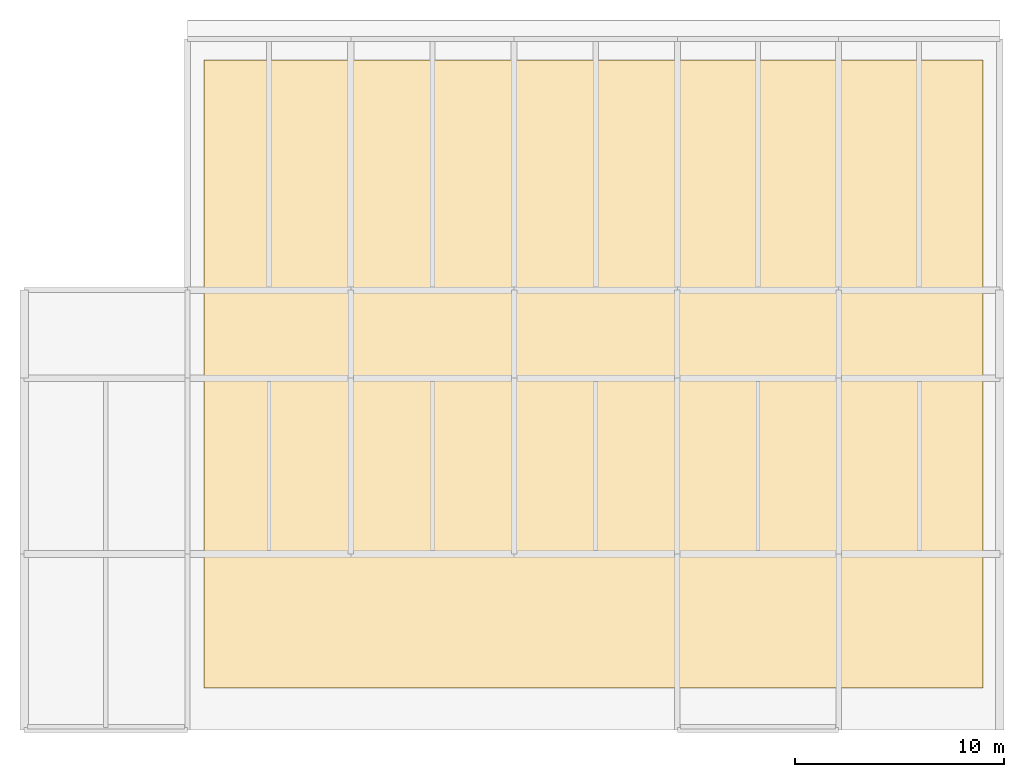
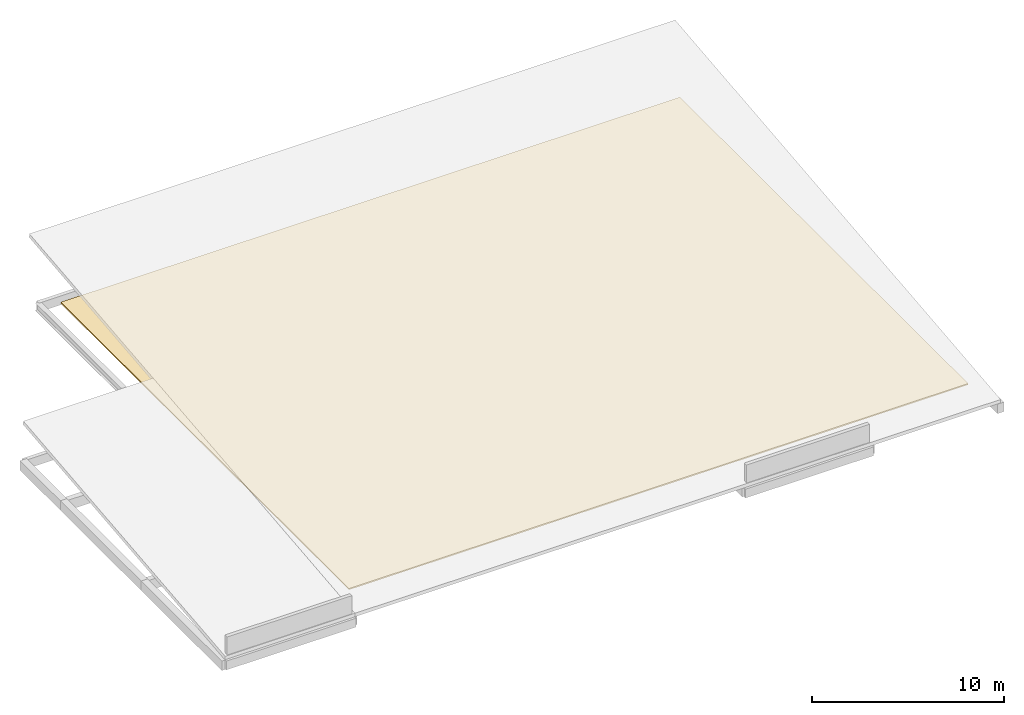
# One storey, part 2 of 2: 1 covering.
"""IFC4 building model written with IfcOpenShell, lengths in metres."""

import ifcopenshell
import ifcopenshell.guid

model = None  # the IFC model being written
_history = None  # IfcOwnerHistory: only IFC2X3 demands one
_inside = {}  # id of a spatial element -> (the spatial element, [elements in it])
_under = {}  # id of a project, library or spatial element -> (it, [spatial elements below it])
_declared = {}  # id of a project -> (the project, [libraries it declares])
_typed = {}  # id of a type object -> (the type object, [elements of that type])
_made_of = {}  # id of a material, layer set ... -> (it, [elements and type objects made of it])


def new_model(schema):
    """Start an empty IFC model of exactly this schema.

    Asked for "IFC4X3", IfcOpenShell would pick the latest addendum, in which some entities
    have other attributes; the version numbers below select the first issue.
    IFC2X3 requires an IfcOwnerHistory on every rooted entity: one is made here for all.
    """
    global model, _history
    if schema == "IFC4X3":
        model = ifcopenshell.file(schema_version=(4, 3, 0, 0))
    else:
        model = ifcopenshell.file(schema=schema)
    _inside.clear()
    _under.clear()
    _declared.clear()
    _typed.clear()
    _made_of.clear()
    _history = None
    if model.schema == "IFC2X3":
        org = make("IfcOrganization", Name="unknown")
        user = make(
            "IfcPersonAndOrganization",
            ThePerson=make("IfcPerson", FamilyName="unknown"),
            TheOrganization=org,
        )
        app = make(
            "IfcApplication",
            ApplicationDeveloper=org,
            Version="unknown",
            ApplicationFullName="unknown",
            ApplicationIdentifier="unknown",
        )
        _history = make(
            "IfcOwnerHistory",
            OwningUser=user,
            OwningApplication=app,
            ChangeAction="ADDED",
            CreationDate=0,
        )
    return model


def make(cls, **values):
    """One entity of the class cls with the attributes given. An attribute that is None is left unset."""
    return model.create_entity(
        cls, **{name: value for name, value in values.items() if value is not None}
    )


def rooted(cls, **values):
    """An entity with a GlobalId (a new one), such as an element, a storey or a relation."""
    return make(cls, GlobalId=ifcopenshell.guid.new(), OwnerHistory=_history, **values)


def si_unit(unit_type, name, prefix=None):
    """IfcSIUnit, for example si_unit("LENGTHUNIT", "METRE", prefix="MILLI")."""
    return make("IfcSIUnit", UnitType=unit_type, Prefix=prefix, Name=name)


def assignment(units):
    """IfcUnitAssignment: the units of a project."""
    return None if units is None else make("IfcUnitAssignment", Units=units)


def point(xyz):
    """IfcCartesianPoint."""
    return None if xyz is None else make("IfcCartesianPoint", Coordinates=xyz)


def direction(xyz):
    """IfcDirection."""
    return None if xyz is None else make("IfcDirection", DirectionRatios=xyz)


def frame(location, z_axis=None, x_axis=None):
    """IfcAxis2Placement3D, a coordinate frame: its origin and axes. An axis left out is left unset."""
    return make(
        "IfcAxis2Placement3D",
        Location=point(location),
        Axis=direction(z_axis),
        RefDirection=direction(x_axis),
    )


def origin():
    """The frame at (0, 0, 0) with its axes left unset."""
    return frame((0.0, 0.0, 0.0))


def place(relative_to, where):
    """IfcLocalPlacement: puts the frame where relative to a parent placement (None: the world)."""
    return make(
        "IfcLocalPlacement", PlacementRelTo=relative_to, RelativePlacement=where
    )


def context(
    kind, dimensions, precision=None, world=None, true_north=None, identifier=None
):
    """IfcGeometricRepresentationContext, for example the 3D "Model" context."""
    return make(
        "IfcGeometricRepresentationContext",
        ContextIdentifier=identifier,
        ContextType=kind,
        CoordinateSpaceDimension=dimensions,
        Precision=precision,
        WorldCoordinateSystem=world,
        TrueNorth=true_north,
    )


def subcontext(parent, identifier, kind, view, scale=None):
    """IfcGeometricRepresentationSubContext, for example "Body" below "Model"."""
    return make(
        "IfcGeometricRepresentationSubContext",
        ContextIdentifier=identifier,
        ContextType=kind,
        ParentContext=parent,
        TargetScale=scale,
        TargetView=view,
    )


def project(units=None, contexts=None):
    """IfcProject with its units and contexts."""
    return rooted(
        "IfcProject",
        Name="project",
        RepresentationContexts=contexts,
        UnitsInContext=assignment(units),
    )


def spatial(cls, under=None, at=None, **own):
    """A site, building, storey or space (cls), placed at a placement, below another one or the project."""
    s = rooted(cls, ObjectPlacement=at, **own)
    if under is not None:
        _under.setdefault(under.id(), (under, []))[1].append(s)
    return s


def polyline(points):
    """IfcPolyline through the points."""
    return make("IfcPolyline", Points=[point(p) for p in points])


def outline(outer, holes=None, kind="AREA"):
    """IfcArbitraryClosedProfileDef: a profile drawn as a closed curve; with holes, ...WithVoids."""
    if holes is None:
        return make("IfcArbitraryClosedProfileDef", ProfileType=kind, OuterCurve=outer)
    return make(
        "IfcArbitraryProfileDefWithVoids",
        ProfileType=kind,
        OuterCurve=outer,
        InnerCurves=holes,
    )


def extrude(swept, where, along, depth):
    """IfcExtrudedAreaSolid: the profile swept, set in the frame where, extruded along a direction by depth."""
    return make(
        "IfcExtrudedAreaSolid",
        SweptArea=swept,
        Position=where,
        ExtrudedDirection=direction(along),
        Depth=depth,
    )


def shape(context_of_items, identifier, shape_type, items):
    """IfcShapeRepresentation: the items that make up one representation, for example the "Body"."""
    return make(
        "IfcShapeRepresentation",
        ContextOfItems=context_of_items,
        RepresentationIdentifier=identifier,
        RepresentationType=shape_type,
        Items=items,
    )


def material(Name=None, Category=None):
    """IfcMaterial."""
    return make("IfcMaterial", Name=Name, Category=Category)


def layer(
    of_material, thickness, ventilated=None, Name=None, Category=None, Priority=None
):
    """IfcMaterialLayer: one layer of a wall or slab, of a material (None: an air gap)."""
    return make(
        "IfcMaterialLayer",
        Material=of_material,
        LayerThickness=thickness,
        IsVentilated=ventilated,
        Name=Name,
        Category=Category,
        Priority=Priority,
    )


def layer_set(layers, Name=None):
    """IfcMaterialLayerSet."""
    return make("IfcMaterialLayerSet", MaterialLayers=layers, LayerSetName=Name)


def made_of(thing, what):
    """Note that an element or type object is made of a material, layer set ...; save() writes the relation."""
    if what is not None:
        _made_of.setdefault(what.id(), (what, []))[1].append(thing)
    return thing


def type_object(cls, material=None, **own):
    """A type object (cls), such as IfcWallType, which elements share."""
    return made_of(rooted(cls, **own), material)


def element(
    cls,
    number,
    at=None,
    inside=None,
    cuts=None,
    type_object=None,
    material=None,
    context=None,
    identifier="Body",
    shape_type=None,
    held_by="IfcProductDefinitionShape",
    body=None,
    shapes=None,
    **own,
):
    """One element of the class cls, such as IfcWall. Its Tag is "e" and its number.

    at: its placement. inside: the storey or other place that contains it. cuts: it is an
    opening in that element (IfcRelVoidsElement). A single representation is given by context,
    identifier, shape_type and body (its items); several are given by shapes. held_by: the class
    of the entity that holds the representations. save() writes the other relations.
    """
    e = rooted(cls, Tag="e%d" % number, ObjectPlacement=at, **own)
    if body is not None:
        shapes = [shape(context, identifier, shape_type, body)]
    if shapes is not None:
        e.Representation = make(held_by, Representations=shapes)
    if inside is not None:
        _inside.setdefault(inside.id(), (inside, []))[1].append(e)
    if cuts is not None:
        rooted(
            "IfcRelVoidsElement", RelatingBuildingElement=cuts, RelatedOpeningElement=e
        )
    if type_object is not None:
        _typed.setdefault(type_object.id(), (type_object, []))[1].append(e)
    return made_of(e, material)


def aggregate(whole, parts):
    """IfcRelAggregates: a whole, such as a stair, and the parts it consists of."""
    return rooted("IfcRelAggregates", RelatingObject=whole, RelatedObjects=parts)


def save(model, path):
    """Write the relations noted so far, then the file.

    IfcRelAggregates (storeys below a building ...), IfcRelContainedInSpatialStructure (elements
    in a storey), IfcRelDefinesByType, IfcRelAssociatesMaterial and IfcRelDeclares: one each for
    every whole, place, type object, material and project.
    """
    for whole, parts in _under.values():
        aggregate(whole, parts)
    for where, things in _inside.values():
        rooted(
            "IfcRelContainedInSpatialStructure",
            RelatedElements=things,
            RelatingStructure=where,
        )
    for kind, things in _typed.values():
        rooted("IfcRelDefinesByType", RelatedObjects=things, RelatingType=kind)
    for what, things in _made_of.values():
        rooted("IfcRelAssociatesMaterial", RelatedObjects=things, RelatingMaterial=what)
    for by, libraries in _declared.values():
        rooted("IfcRelDeclares", RelatingContext=by, RelatedDefinitions=libraries)
    model.write(path)


model = new_model("IFC4")

# Units and contexts
model_context = context("Model", 3, precision=1e-05, world=origin(), true_north=direction((0.0, 1.0)))
body_context = subcontext(model_context, "Body", "Model", "MODEL_VIEW")
ifc_project = project(units=[si_unit("LENGTHUNIT", "METRE"), si_unit("AREAUNIT", "SQUARE_METRE"), si_unit("VOLUMEUNIT", "CUBIC_METRE"), si_unit("PLANEANGLEUNIT", "RADIAN"), si_unit("MASSUNIT", "GRAM", prefix="KILO")], contexts=[model_context])

# Site, building, storey
site_placement = place(None, origin())
site = spatial("IfcSite", under=ifc_project, at=site_placement, CompositionType="ELEMENT")
building_placement = place(site_placement, origin())
building = spatial("IfcBuilding", under=site, at=building_placement, Name="Vharandega Faculty of Natural Sciences", CompositionType="ELEMENT")
storey_placement = place(building_placement, frame((0.0, 0.0, 47.10009765625)))
storey = spatial("IfcBuildingStorey", under=building, at=storey_placement, Name="RF", CompositionType="ELEMENT", Elevation=47.10009765625)

# Covering
ifc_material = material(Name="Single-ply TPO waterproofing membrane and insulation", Category="concrete")
ifc_layer = layer(ifc_material, 0.080078125, Name="Single-ply TPO waterproofing membrane and insulation")
ifc_layer_set = layer_set([ifc_layer], Name="Single-ply TPO waterproofing membrane and insulation")
covering_type = type_object("IfcCoveringType", Name="Insulated Waterproofing Roof Membrane", PredefinedType="ROOFING", material=ifc_layer_set)
covering_placement = place(storey_placement, origin())
element("IfcCovering", 1, at=covering_placement, inside=storey, type_object=covering_type, Name="Roof Covering RF-05", PredefinedType="ROOFING", context=body_context, shape_type="SweptSolid", body=[
    extrude(outline(polyline([(123.39990234375, 66.0), (160.60009765625, 66.0), (160.60009765625, 96.0), (123.39990234375, 96.0), (123.39990234375, 66.0)])), origin(), (0.0, 0.0, 1.0), 0.079833984375),
])

save(model, "model.ifc")
